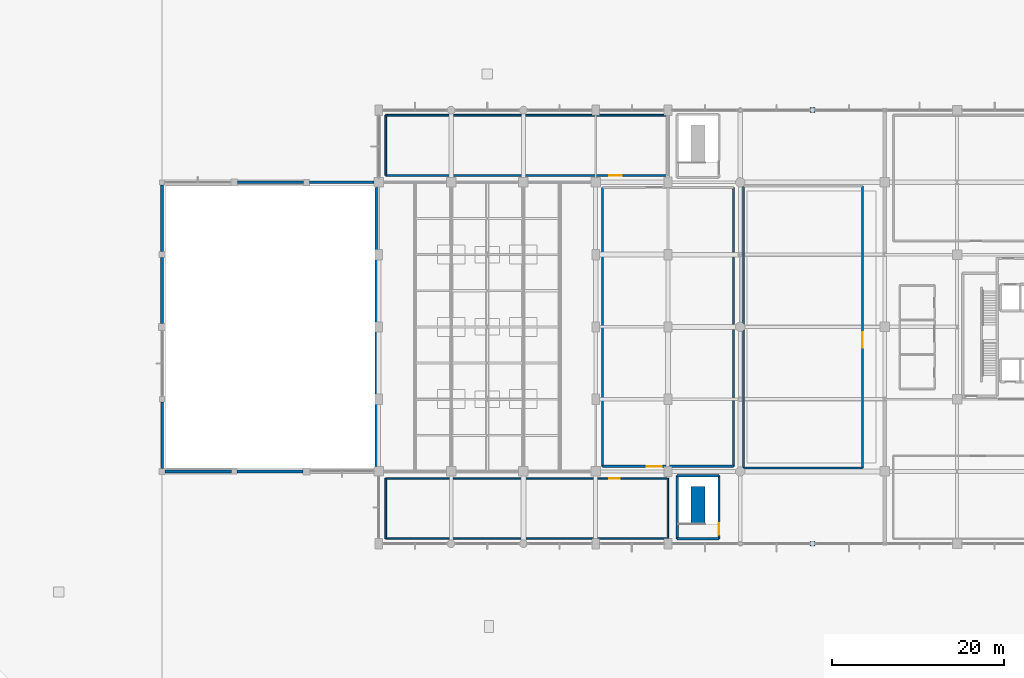
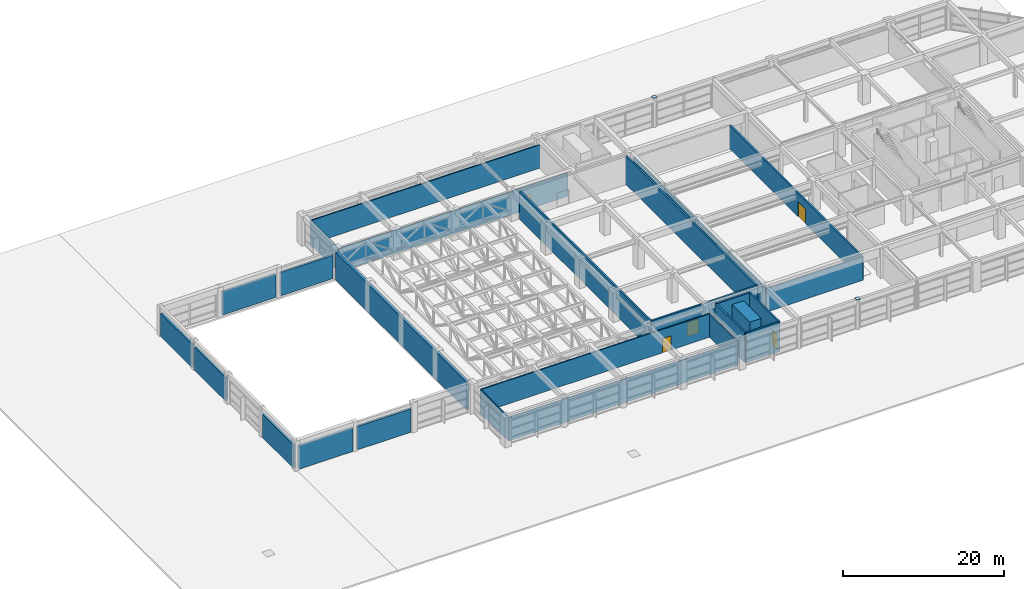
# One storey, part 41 of 47: 26 walls, 5 doors, 2 plates, 5 openings.
"""IFC4 building model written with IfcOpenShell, lengths in metres."""

from ifc_helpers import new_model, si_unit, direction, frame, frame_2d, origin, origin_2d, place, context, subcontext, project, spatial, rectangle, extrude, material, layer, layer_set, type_object, element, fill, save


model = new_model("IFC4")

# Units and contexts
model_context = context("Model", 3, precision=1e-05, world=origin(), true_north=direction((0.0, 1.0)))
body_context = subcontext(model_context, "Body", "Model", "MODEL_VIEW")
ifc_project = project(units=[si_unit("LENGTHUNIT", "METRE"), si_unit("AREAUNIT", "SQUARE_METRE"), si_unit("VOLUMEUNIT", "CUBIC_METRE"), si_unit("PLANEANGLEUNIT", "RADIAN"), si_unit("MASSUNIT", "GRAM", prefix="KILO")], contexts=[model_context])

# Site, building, storey
site_placement = place(None, origin())
site = spatial("IfcSite", under=ifc_project, at=site_placement, CompositionType="ELEMENT")
building_placement = place(site_placement, origin())
building = spatial("IfcBuilding", under=site, at=building_placement, Name="Xuanlan Plaza Opera House", CompositionType="ELEMENT")
storey_placement = place(building_placement, frame((0.0, 0.0, 23.39990234375)))
storey = spatial("IfcBuildingStorey", under=building, at=storey_placement, Name="L05", CompositionType="ELEMENT", Elevation=23.39990234375)

# Plates
ifc_material_1 = material(Name="Steel Q355B", Category="steel")
ifc_layer_1 = layer(ifc_material_1, 0.028076171875)
ifc_layer_set_1 = layer_set([ifc_layer_1], Name="Steel Q355B")
plate_type = type_object("IfcPlateType", Name="STR-PLT-CP01", PredefinedType="SHEET", material=ifc_layer_set_1)
for number, where, z_axis, x_axis, name in (
    (1, (117.60009765625, 33.60009765625, 4.5), (0.0, 0.0, 1.0), (1.0, 0.0, 0.0), "Hollow Column Top Cap Plate L05-15E"),
    (2, (117.60009765625, 84.0, 4.5), (0.0, 0.0, 1.0), (1.0, 0.0, 0.0), "Hollow Column Top Cap Plate L05-15K"),
):
    element("IfcPlate", number, at=place(storey_placement, frame(where, z_axis=z_axis, x_axis=x_axis)), inside=storey, type_object=plate_type, Name=name, PredefinedType="SHEET", context=body_context, shape_type="SweptSolid", body=[
        extrude(rectangle(XDim=0.56005859375, YDim=0.56005859375, at=origin_2d()), origin(), (0.0, 0.0, 1.0), 0.028076171875),
    ])

# Walls
ifc_material_2 = material(Name="Anodised Aluminium 6063-T6 and Rockwool Cladding", Category="aluminium")
ifc_layer_2 = layer(ifc_material_2, 0.340087890625)
ifc_layer_set_2 = layer_set([ifc_layer_2], Name="Anodised Aluminium 6063-T6 and Rockwool Cladding")
wall_type_1 = type_object("IfcWallType", Name="ENV-WL-EW-02", PredefinedType="STANDARD", material=ifc_layer_set_2)
for number, where, z_axis, x_axis, name in (
    (3, (42.35009765625, 42.0, 0.0), (0.0, 0.0, 1.0), (1.0, 0.0, 0.0), "Exterior Wall L05-001"),
    (4, (42.0, 75.300048828125, 0.0), (0.0, 0.0, 1.0), (0.0, -1.0, 0.0), "Exterior Wall L05-037"),
):
    element("IfcWall", number, at=place(storey_placement, frame(where, z_axis=z_axis, x_axis=x_axis)), inside=storey, type_object=wall_type_1, Name=name, PredefinedType="STANDARD", context=body_context, shape_type="SweptSolid", body=[
        extrude(rectangle(XDim=7.75, YDim=0.340087890625, at=frame_2d((3.875, 0.0))), origin(), (0.0, 0.0, 1.0), 3.5400390625),
    ])
ifc_layer_3 = layer(ifc_material_2, 0.320068359375)
ifc_layer_set_3 = layer_set([ifc_layer_3], Name="Anodised Aluminium 6063-T6 and Rockwool Cladding")
wall_type_2 = type_object("IfcWallType", Name="ENV-WL-EW-03", PredefinedType="STANDARD", material=ifc_layer_set_3)
wall_1_placement = place(storey_placement, frame((50.699951171875, 42.0, 0.0), z_axis=(0.0, 0.0, 1.0), x_axis=(1.0, 0.0, 0.0)))
element("IfcWall", 5, at=wall_1_placement, inside=storey, type_object=wall_type_2, Name="Exterior Wall L05-002", PredefinedType="STANDARD", context=body_context, shape_type="SweptSolid", body=[
    extrude(rectangle(XDim=7.699951171875, YDim=0.320068359375, at=frame_2d((3.85009765625, 0.0))), origin(), (0.0, 0.0, 1.0), 3.5400390625),
])
wall_2_placement = place(storey_placement, frame((42.0, 66.85009765625, 0.0), z_axis=(0.0, 0.0, 1.0), x_axis=(0.0, -1.0, 0.0)))
element("IfcWall", 6, at=wall_2_placement, inside=storey, type_object=wall_type_2, Name="Exterior Wall L05-038", PredefinedType="STANDARD", context=body_context, shape_type="SweptSolid", body=[
    extrude(rectangle(XDim=7.650146484375, YDim=0.320068359375, at=frame_2d((3.8251953125, 0.0))), origin(), (0.0, 0.0, 1.0), 3.5400390625),
])
ifc_layer_4 = layer(ifc_material_2, 0.2900390625)
ifc_layer_set_4 = layer_set([ifc_layer_4], Name="Anodised Aluminium 6063-T6 and Rockwool Cladding")
wall_type_3 = type_object("IfcWallType", Name="ENV-WL-EW-05", PredefinedType="STANDARD", material=ifc_layer_set_4)
wall_3_placement = place(storey_placement, frame((66.64990234375, 75.60009765625, 0.0), z_axis=(0.0, 0.0, 1.0), x_axis=(-1.0, 0.0, 0.0)))
element("IfcWall", 7, at=wall_3_placement, inside=storey, type_object=wall_type_3, Name="Exterior Wall L05-034", PredefinedType="STANDARD", context=body_context, shape_type="SweptSolid", body=[
    extrude(rectangle(XDim=7.5, YDim=0.2900390625, at=frame_2d((3.75, 0.0))), origin(), (0.0, 0.0, 1.0), 3.5400390625),
])
wall_4_placement = place(storey_placement, frame((42.0, 50.10009765625, 0.0), z_axis=(0.0, 0.0, 1.0), x_axis=(0.0, -1.0, 0.0)))
element("IfcWall", 8, at=wall_4_placement, inside=storey, type_object=wall_type_3, Name="Exterior Wall L05-040", PredefinedType="STANDARD", context=body_context, shape_type="SweptSolid", body=[
    extrude(rectangle(XDim=7.75, YDim=0.2900390625, at=frame_2d((3.875, 0.0))), origin(), (0.0, 0.0, 1.0), 3.5400390625),
])
ifc_layer_5 = layer(ifc_material_2, 0.27001953125)
ifc_layer_set_5 = layer_set([ifc_layer_5], Name="Anodised Aluminium 6063-T6 and Rockwool Cladding")
wall_type_4 = type_object("IfcWallType", Name="ENV-WL-EW-06", PredefinedType="STANDARD", material=ifc_layer_set_5)
wall_5_placement = place(storey_placement, frame((58.449951171875, 75.60009765625, 0.0), z_axis=(0.0, 0.0, 1.0), x_axis=(-1.0, 0.0, 0.0)))
element("IfcWall", 9, at=wall_5_placement, inside=storey, type_object=wall_type_4, Name="Exterior Wall L05-035", PredefinedType="STANDARD", context=body_context, shape_type="SweptSolid", body=[
    extrude(rectangle(XDim=7.64990234375, YDim=0.27001953125, at=frame_2d((3.824951171875, 0.0))), origin(), (0.0, 0.0, 1.0), 3.5400390625),
])
ifc_material_3 = material(Name="Gypsum Board and Galvanised Steel Studs", Category="gypsum")
ifc_layer_6 = layer(ifc_material_3, 0.239990234375)
ifc_layer_set_6 = layer_set([ifc_layer_6], Name="Gypsum Board and Galvanised Steel Studs")
wall_type_5 = type_object("IfcWallType", Name="INT-WL-PW-01", PredefinedType="PARTITIONING", material=ifc_layer_set_6)
wall_6_placement = place(storey_placement, frame((109.60009765625, 42.39990234375, 0.0), z_axis=(0.0, 0.0, 1.0), x_axis=(1.0, 0.0, 0.0)))
element("IfcWall", 10, at=wall_6_placement, inside=storey, type_object=wall_type_5, Name="Exhibition Gallery Wall South", PredefinedType="PARTITIONING", context=body_context, shape_type="SweptSolid", body=[
    extrude(rectangle(XDim=13.7998046875, YDim=0.239990234375, at=frame_2d((6.89990234375, 0.0))), origin(), (0.0, 0.0, 1.0), 3.5400390625),
])
wall_7_placement = place(storey_placement, frame((109.60009765625, 42.39990234375, 0.0), z_axis=(0.0, 0.0, 1.0), x_axis=(0.0, 1.0, 0.0)))
element("IfcWall", 11, at=wall_7_placement, inside=storey, type_object=wall_type_5, Name="Exhibition Gallery Wall West", PredefinedType="PARTITIONING", context=body_context, shape_type="SweptSolid", body=[
    extrude(rectangle(XDim=32.800048828125, YDim=0.239990234375, at=frame_2d((16.39990234375, 0.0))), origin(), (0.0, 0.0, 1.0), 3.5400390625),
])

# Wall, opening, door
wall_8_placement = place(storey_placement, frame((123.39990234375, 42.39990234375, 0.0), z_axis=(0.0, 0.0, 1.0), x_axis=(0.0, 1.0, 0.0)))
wall_8 = element("IfcWall", 12, at=wall_8_placement, inside=storey, type_object=wall_type_5, Name="Exhibition Gallery Wall East", PredefinedType="PARTITIONING", context=body_context, shape_type="SweptSolid", body=[
    extrude(rectangle(XDim=32.800048828125, YDim=0.239990234375, at=frame_2d((16.39990234375, 0.0))), origin(), (0.0, 0.0, 1.0), 3.5400390625),
])
opening_1_placement = place(wall_8_placement, frame((14.0, 0.0, 0.0)))
opening_1 = element("IfcOpeningElement", 13, at=opening_1_placement, cuts=wall_8, Name="Opening D-04", PredefinedType="OPENING", context=body_context, shape_type="SweptSolid", body=[
    extrude(rectangle(XDim=1.800048828125, YDim=2.25, at=frame_2d((0.89990234375, 1.125))), frame((0.0, 0.1298828125, 0.0), z_axis=(0.0, -1.0, 0.0), x_axis=(1.0, 0.0, 0.0)), (0.0, 0.0, 1.0), 0.260009765625),
])
ifc_material_4 = material(Name="Anodised Aluminium 6063-T6 and Laminated Safety Glass", Category="aluminium")
door_type_1 = type_object("IfcDoorType", Name="INT-DR-D-04", OperationType="DOUBLE_DOOR_SINGLE_SWING", PredefinedType="DOOR", material=ifc_material_4)
door_1_placement = place(opening_1_placement, origin())
door_1 = element("IfcDoor", 14, at=door_1_placement, inside=storey, type_object=door_type_1, Name="Exhibition Gallery Door 1", OperationType="DOUBLE_DOOR_SINGLE_SWING", OverallHeight=2.25, OverallWidth=1.800048828125, PredefinedType="DOOR", context=body_context, shape_type="SweptSolid", body=[
    extrude(rectangle(XDim=1.800048828125, YDim=2.25, at=frame_2d((0.89990234375, 1.125))), frame((0.0, 0.02490234375, 0.0), z_axis=(0.0, -1.0, 0.0), x_axis=(1.0, 0.0, 0.0)), (0.0, 0.0, 1.0), 0.050048828125),
])
fill(opening_1, door_1)

# Wall
ifc_layer_7 = layer(ifc_material_3, 0.179931640625)
ifc_layer_set_7 = layer_set([ifc_layer_7], Name="Gypsum Board and Galvanised Steel Studs")
wall_type_6 = type_object("IfcWallType", Name="INT-WL-PW-02", PredefinedType="PARTITIONING", material=ifc_layer_set_7)
wall_9_placement = place(storey_placement, frame((68.0, 34.199951171875, 0.0), z_axis=(0.0, 0.0, 1.0), x_axis=(1.0, 0.0, 0.0)))
element("IfcWall", 15, at=wall_9_placement, inside=storey, type_object=wall_type_6, Name="Acoustic Mastering Archive Wall South", PredefinedType="PARTITIONING", context=body_context, shape_type="SweptSolid", body=[
    extrude(rectangle(XDim=32.800048828125, YDim=0.179931640625, at=frame_2d((16.39990234375, 0.0))), origin(), (0.0, 0.0, 1.0), 3.5400390625),
])

# Wall, opening, door
wall_10_placement = place(storey_placement, frame((68.0, 41.199951171875, 0.0), z_axis=(0.0, 0.0, 1.0), x_axis=(1.0, 0.0, 0.0)))
wall_10 = element("IfcWall", 16, at=wall_10_placement, inside=storey, type_object=wall_type_6, Name="Acoustic Mastering Archive Wall North", PredefinedType="PARTITIONING", context=body_context, shape_type="SweptSolid", body=[
    extrude(rectangle(XDim=32.800048828125, YDim=0.179931640625, at=frame_2d((16.39990234375, 0.0))), origin(), (0.0, 0.0, 1.0), 3.5400390625),
])
opening_2_placement = place(wall_10_placement, frame((26.0, 0.0, 0.0)))
opening_2 = element("IfcOpeningElement", 17, at=opening_2_placement, cuts=wall_10, Name="Opening D-05", PredefinedType="OPENING", context=body_context, shape_type="SweptSolid", body=[
    extrude(rectangle(XDim=1.219970703125, YDim=2.14990234375, at=frame_2d((0.60986328125, 1.074951171875))), frame((0.0, 0.099853515625, 0.0), z_axis=(0.0, -1.0, 0.0), x_axis=(1.0, 0.0, 0.0)), (0.0, 0.0, 1.0), 0.199951171875),
])
ifc_material_5 = material(Name="Walnut Hardwood Timber", Category="wood")
door_type_2 = type_object("IfcDoorType", Name="INT-DR-D-05", OperationType="NOTDEFINED", PredefinedType="DOOR", material=ifc_material_5)
door_2_placement = place(opening_2_placement, origin())
door_2 = element("IfcDoor", 18, at=door_2_placement, inside=storey, type_object=door_type_2, Name="Acoustic Mastering Archive Door 1", OperationType="SINGLE_SWING_LEFT", OverallHeight=2.14990234375, OverallWidth=1.219970703125, PredefinedType="DOOR", context=body_context, shape_type="SweptSolid", body=[
    extrude(rectangle(XDim=1.219970703125, YDim=2.14990234375, at=frame_2d((0.60986328125, 1.074951171875))), frame((0.0, 0.02490234375, 0.0), z_axis=(0.0, -1.0, 0.0), x_axis=(1.0, 0.0, 0.0)), (0.0, 0.0, 1.0), 0.050048828125),
])
fill(opening_2, door_2)

# Walls
for number, where, z_axis, x_axis, name in (
    (19, (68.0, 34.199951171875, 0.0), (0.0, 0.0, 1.0), (0.0, 1.0, 0.0), "Acoustic Mastering Archive Wall West"),
    (20, (100.800048828125, 34.199951171875, 0.0), (0.0, 0.0, 1.0), (0.0, 1.0, 0.0), "Acoustic Mastering Archive Wall East"),
):
    element("IfcWall", number, at=place(storey_placement, frame(where, z_axis=z_axis, x_axis=x_axis)), inside=storey, type_object=wall_type_6, Name=name, PredefinedType="PARTITIONING", context=body_context, shape_type="SweptSolid", body=[
        extrude(rectangle(XDim=7.0, YDim=0.179931640625, at=frame_2d((3.5, 0.0))), origin(), (0.0, 0.0, 1.0), 3.5400390625),
    ])

# Wall, opening, door
wall_11_placement = place(storey_placement, frame((68.0, 76.39990234375, 0.0), z_axis=(0.0, 0.0, 1.0), x_axis=(1.0, 0.0, 0.0)))
wall_11 = element("IfcWall", 21, at=wall_11_placement, inside=storey, type_object=wall_type_6, Name="Stage Lighting Equipment Store Wall South", PredefinedType="PARTITIONING", context=body_context, shape_type="SweptSolid", body=[
    extrude(rectangle(XDim=32.800048828125, YDim=0.179931640625, at=frame_2d((16.39990234375, 0.0))), origin(), (0.0, 0.0, 1.0), 3.5400390625),
])
opening_3_placement = place(wall_11_placement, frame((26.0, 0.0, 0.0)))
opening_3 = element("IfcOpeningElement", 22, at=opening_3_placement, cuts=wall_11, Name="Opening D-12", PredefinedType="OPENING", context=body_context, shape_type="SweptSolid", body=[
    extrude(rectangle(XDim=1.419921875, YDim=2.179931640625, at=frame_2d((0.7099609375, 1.08984375))), frame((0.0, 0.099853515625, 0.0), z_axis=(0.0, -1.0, 0.0), x_axis=(1.0, 0.0, 0.0)), (0.0, 0.0, 1.0), 0.199951171875),
])
ifc_material_6 = material(Name="Oak Hardwood Timber", Category="wood")
door_type_3 = type_object("IfcDoorType", Name="INT-DR-D-12", OperationType="DOUBLE_DOOR_SINGLE_SWING", PredefinedType="DOOR", material=ifc_material_6)
door_3_placement = place(opening_3_placement, origin())
door_3 = element("IfcDoor", 23, at=door_3_placement, inside=storey, type_object=door_type_3, Name="Stage Lighting Equipment Store Door 1", OperationType="DOUBLE_DOOR_SINGLE_SWING", OverallHeight=2.179931640625, OverallWidth=1.419921875, PredefinedType="DOOR", context=body_context, shape_type="SweptSolid", body=[
    extrude(rectangle(XDim=1.419921875, YDim=2.179931640625, at=frame_2d((0.7099609375, 1.08984375))), frame((0.0, 0.02490234375, 0.0), z_axis=(0.0, -1.0, 0.0), x_axis=(1.0, 0.0, 0.0)), (0.0, 0.0, 1.0), 0.050048828125),
])
fill(opening_3, door_3)

# Walls
wall_12_placement = place(storey_placement, frame((68.0, 83.39990234375, 0.0), z_axis=(0.0, 0.0, 1.0), x_axis=(1.0, 0.0, 0.0)))
element("IfcWall", 24, at=wall_12_placement, inside=storey, type_object=wall_type_6, Name="Stage Lighting Equipment Store Wall North", PredefinedType="PARTITIONING", context=body_context, shape_type="SweptSolid", body=[
    extrude(rectangle(XDim=32.800048828125, YDim=0.179931640625, at=frame_2d((16.39990234375, 0.0))), origin(), (0.0, 0.0, 1.0), 3.5400390625),
])
wall_13_placement = place(storey_placement, frame((68.0, 76.39990234375, 0.0), z_axis=(0.0, 0.0, 1.0), x_axis=(0.0, 1.0, 0.0)))
element("IfcWall", 25, at=wall_13_placement, inside=storey, type_object=wall_type_6, Name="Stage Lighting Equipment Store Wall West", PredefinedType="PARTITIONING", context=body_context, shape_type="SweptSolid", body=[
    extrude(rectangle(XDim=7.0, YDim=0.179931640625, at=frame_2d((3.5, 0.0))), origin(), (0.0, 0.0, 1.0), 3.5400390625),
])
ifc_material_7 = material(Name="Concrete C50", Category="concrete")
ifc_layer_8 = layer(ifc_material_7, 0.3798828125)
ifc_layer_set_8 = layer_set([ifc_layer_8], Name="Concrete C50")
wall_type_7 = type_object("IfcWallType", Name="INT-WL-SW-FW1", PredefinedType="SHEAR", material=ifc_layer_set_8)
wall_14_placement = place(storey_placement, frame((66.949951171875, 42.580078125, 0.0), z_axis=(0.0, 0.0, 1.0), x_axis=(0.0, 1.0, 0.0)))
element("IfcWall", 26, at=wall_14_placement, inside=storey, type_object=wall_type_7, Name="Proscenium and Fly Shaft Wall L05-E", PredefinedType="SHEAR", context=body_context, shape_type="SweptSolid", body=[
    extrude(rectangle(XDim=32.43994140625, YDim=0.3798828125, at=frame_2d((16.219970703125, 0.0))), origin(), (0.0, 0.0, 1.0), 4.2001953125),
])

# Wall, opening, door
ifc_material_8 = material(Name="Concrete C40", Category="concrete")
ifc_layer_9 = layer(ifc_material_8, 0.25)
ifc_layer_set_9 = layer_set([ifc_layer_9], Name="Concrete C40")
wall_type_8 = type_object("IfcWallType", Name="INT-WL-SW-LF1", PredefinedType="SHEAR", material=ifc_layer_set_9)
wall_15_placement = place(storey_placement, frame((93.199951171875, 42.60009765625, 0.0), z_axis=(0.0, 0.0, 1.0), x_axis=(1.0, 0.0, 0.0)))
wall_15 = element("IfcWall", 27, at=wall_15_placement, inside=storey, type_object=wall_type_8, Name="Opera Costume and Set Archive Wall South", PredefinedType="SHEAR", context=body_context, shape_type="SweptSolid", body=[
    extrude(rectangle(XDim=15.199951171875, YDim=0.25, at=frame_2d((7.60009765625, 0.0))), origin(), (0.0, 0.0, 1.0), 4.260009765625),
])
opening_4_placement = place(wall_15_placement, frame((5.14990234375, 0.0, 0.0)))
opening_4 = element("IfcOpeningElement", 28, at=opening_4_placement, cuts=wall_15, Name="Opening FD-03", PredefinedType="OPENING", context=body_context, shape_type="SweptSolid", body=[
    extrude(rectangle(XDim=1.75, YDim=2.199951171875, at=frame_2d((0.875, 1.10009765625))), frame((0.0, 0.135009765625, 0.0), z_axis=(0.0, -1.0, 0.0), x_axis=(1.0, 0.0, 0.0)), (0.0, 0.0, 1.0), 0.27001953125),
])
ifc_material_9 = material(Name="Galvanised Steel Q235B", Category="steel")
door_type_4 = type_object("IfcDoorType", Name="INT-DR-FD-03", OperationType="DOUBLE_DOOR_SINGLE_SWING", PredefinedType="DOOR", material=ifc_material_9)
door_4_placement = place(opening_4_placement, origin())
door_4 = element("IfcDoor", 29, at=door_4_placement, inside=storey, type_object=door_type_4, Name="Opera Costume and Set Archive Door 1", OperationType="DOUBLE_DOOR_SINGLE_SWING", OverallHeight=2.199951171875, OverallWidth=1.75, PredefinedType="DOOR", context=body_context, shape_type="SweptSolid", body=[
    extrude(rectangle(XDim=1.75, YDim=2.199951171875, at=frame_2d((0.875, 1.10009765625))), frame((0.0, 0.02490234375, 0.0), z_axis=(0.0, -1.0, 0.0), x_axis=(1.0, 0.0, 0.0)), (0.0, 0.0, 1.0), 0.050048828125),
])
fill(opening_4, door_4)

# Walls
for number, where, z_axis, x_axis, name in (
    (30, (93.199951171875, 42.60009765625, 0.0), (0.0, 0.0, 1.0), (0.0, 1.0, 0.0), "Opera Costume and Set Archive Wall West"),
    (31, (108.39990234375, 42.60009765625, 0.0), (0.0, 0.0, 1.0), (0.0, 1.0, 0.0), "Opera Costume and Set Archive Wall East"),
):
    element("IfcWall", number, at=place(storey_placement, frame(where, z_axis=z_axis, x_axis=x_axis)), inside=storey, type_object=wall_type_8, Name=name, PredefinedType="SHEAR", context=body_context, shape_type="SweptSolid", body=[
        extrude(rectangle(XDim=32.39990234375, YDim=0.25, at=frame_2d((16.199951171875, 0.0))), origin(), (0.0, 0.0, 1.0), 4.260009765625),
    ])
ifc_layer_10 = layer(ifc_material_7, 1.60009765625)
ifc_layer_set_10 = layer_set([ifc_layer_10], Name="Concrete C50")
wall_type_9 = type_object("IfcWallType", Name="INT-WL-SW-SP2", PredefinedType="SHEAR", material=ifc_layer_set_10)
wall_16_placement = place(storey_placement, frame((104.300048828125, 35.8798828125, 0.0), z_axis=(0.0, 0.0, 1.0), x_axis=(0.0, 1.0, 0.0)))
element("IfcWall", 32, at=wall_16_placement, inside=storey, type_object=wall_type_9, Name="Half-Turn Stair Structural Spine Wall ST-F1 L05", PredefinedType="SHEAR", context=body_context, shape_type="SweptSolid", body=[
    extrude(rectangle(XDim=4.400146484375, YDim=1.60009765625, at=frame_2d((2.2001953125, 0.0))), origin(), (0.0, 0.0, 1.0), 4.5),
])
ifc_layer_11 = layer(ifc_material_8, 0.25)
ifc_layer_set_11 = layer_set([ifc_layer_11], Name="Concrete C40")
wall_type_10 = type_object("IfcWallType", Name="INT-WL-SW-ST2", PredefinedType="SHEAR", material=ifc_layer_set_11)
for number, where, z_axis, x_axis, name in (
    (33, (101.875, 34.175048828125, 0.0), (0.0, 0.0, 1.0), (1.0, 0.0, 0.0), "Stair Core Wall ST-F1 L05 South"),
    (34, (101.875, 41.5048828125, 0.0), (0.0, 0.0, 1.0), (1.0, 0.0, 0.0), "Stair Core Wall ST-F1 L05 North"),
):
    element("IfcWall", number, at=place(storey_placement, frame(where, z_axis=z_axis, x_axis=x_axis)), inside=storey, type_object=wall_type_10, Name=name, PredefinedType="SHEAR", context=body_context, shape_type="SweptSolid", body=[
        extrude(rectangle(XDim=4.85009765625, YDim=0.25, at=frame_2d((2.425048828125, 0.0))), origin(), (0.0, 0.0, 1.0), 4.5),
    ])
wall_17_placement = place(storey_placement, frame((101.875, 34.175048828125, 0.0), z_axis=(0.0, 0.0, 1.0), x_axis=(0.0, 1.0, 0.0)))
element("IfcWall", 35, at=wall_17_placement, inside=storey, type_object=wall_type_10, Name="Stair Core Wall ST-F1 L05 West", PredefinedType="SHEAR", context=body_context, shape_type="SweptSolid", body=[
    extrude(rectangle(XDim=7.329833984375, YDim=0.25, at=frame_2d((3.6650390625, 0.0))), origin(), (0.0, 0.0, 1.0), 4.5),
])

# Wall, opening, door
wall_18_placement = place(storey_placement, frame((106.72509765625, 34.175048828125, 0.0), z_axis=(0.0, 0.0, 1.0), x_axis=(0.0, 1.0, 0.0)))
wall_18 = element("IfcWall", 36, at=wall_18_placement, inside=storey, type_object=wall_type_10, Name="Stair Core Wall ST-F1 L05 East", PredefinedType="SHEAR", context=body_context, shape_type="SweptSolid", body=[
    extrude(rectangle(XDim=7.329833984375, YDim=0.25, at=frame_2d((3.6650390625, 0.0))), origin(), (0.0, 0.0, 1.0), 4.5),
])
opening_5_placement = place(wall_18_placement, frame((0.449951171875, 0.0, 0.0)))
opening_5 = element("IfcOpeningElement", 37, at=opening_5_placement, cuts=wall_18, Name="Opening FD-ST2", PredefinedType="OPENING", context=body_context, shape_type="SweptSolid", body=[
    extrude(rectangle(XDim=1.35009765625, YDim=2.14990234375, at=frame_2d((0.675048828125, 1.074951171875))), frame((0.0, 0.135009765625, 0.0), z_axis=(0.0, -1.0, 0.0), x_axis=(1.0, 0.0, 0.0)), (0.0, 0.0, 1.0), 0.27001953125),
])
door_type_5 = type_object("IfcDoorType", Name="INT-DR-FD-ST2", OperationType="NOTDEFINED", PredefinedType="DOOR", material=ifc_material_9)
door_5_placement = place(opening_5_placement, origin())
door_5 = element("IfcDoor", 38, at=door_5_placement, inside=storey, type_object=door_type_5, Name="Stair Enclosure Fire Door ST-F1 L05", OperationType="SINGLE_SWING_LEFT", OverallHeight=2.14990234375, OverallWidth=1.35009765625, PredefinedType="DOOR", context=body_context, shape_type="SweptSolid", body=[
    extrude(rectangle(XDim=1.35009765625, YDim=2.14990234375, at=frame_2d((0.675048828125, 1.074951171875))), frame((0.0, 0.02490234375, 0.0), z_axis=(0.0, -1.0, 0.0), x_axis=(1.0, 0.0, 0.0)), (0.0, 0.0, 1.0), 0.050048828125),
])
fill(opening_5, door_5)

save(model, "model.ifc")
